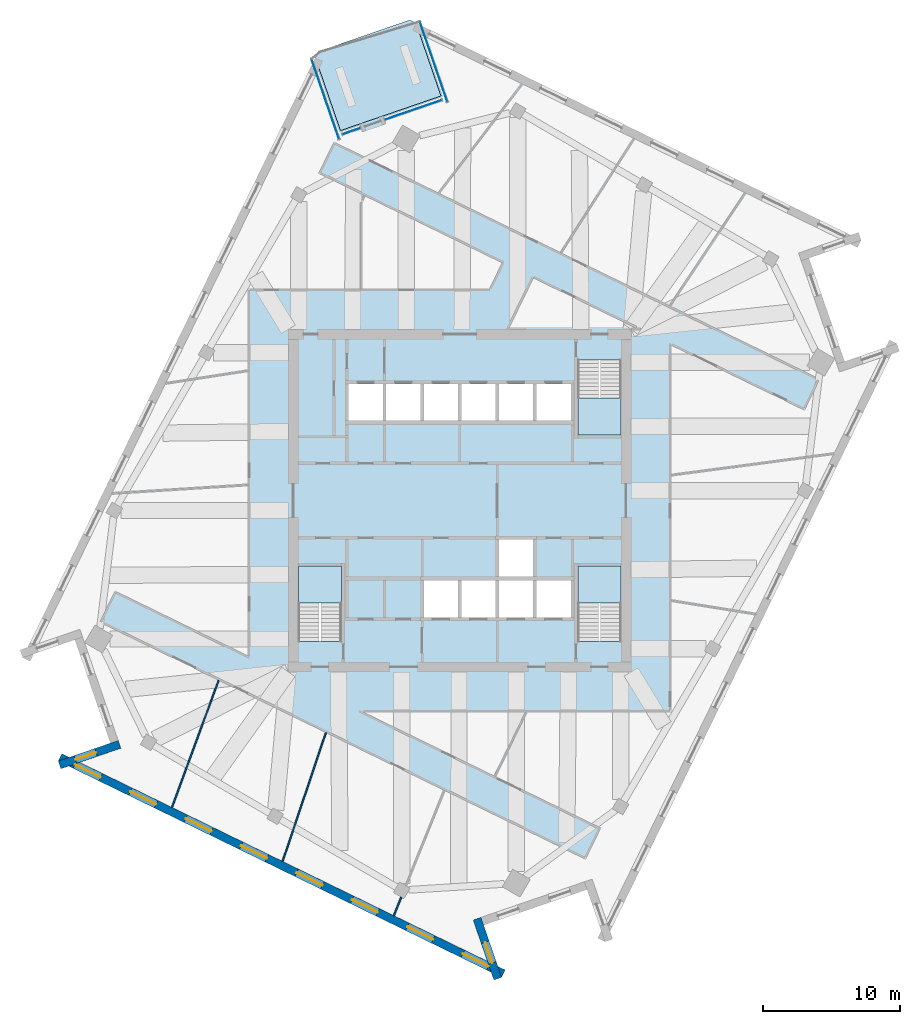
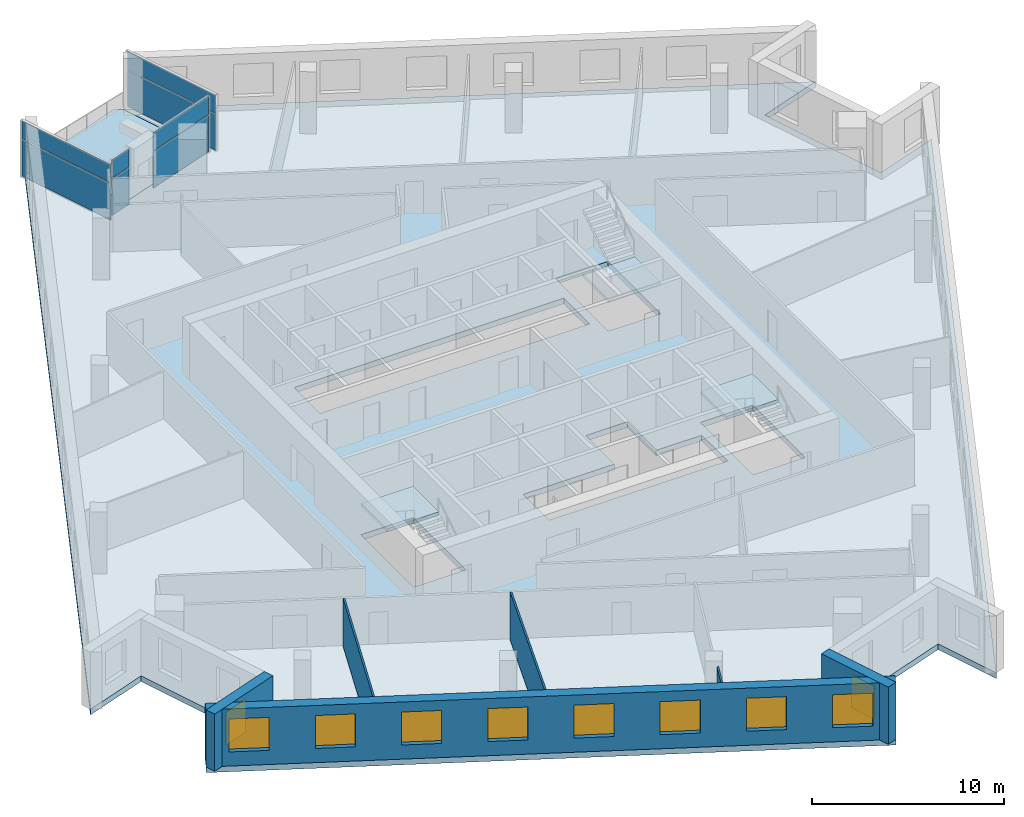
# One storey, part 5 of 13: 10 windows, 8 plates, 6 walls, 5 slabs, 10 openings, 7 elements without a shape of their own.
"""IFC4 building model written with IfcOpenShell, lengths in metres."""

from ifc_helpers import new_model, si_unit, direction, frame, frame_2d, origin, origin_2d, place, context, subcontext, project, spatial, polyline, rectangle, outline, extrude, material, layer, layer_set, type_object, element, fill, aggregate, save


model = new_model("IFC4")

# Units and contexts
model_context = context("Model", 3, precision=1e-05, world=origin(), true_north=direction((0.0, 1.0)))
body_context = subcontext(model_context, "Body", "Model", "MODEL_VIEW")
ifc_project = project(units=[si_unit("LENGTHUNIT", "METRE"), si_unit("AREAUNIT", "SQUARE_METRE"), si_unit("VOLUMEUNIT", "CUBIC_METRE"), si_unit("PLANEANGLEUNIT", "RADIAN"), si_unit("MASSUNIT", "GRAM", prefix="KILO")], contexts=[model_context])

# Site, building, storey
site_placement = place(None, origin())
site = spatial("IfcSite", under=ifc_project, at=site_placement, CompositionType="ELEMENT")
building_placement = place(site_placement, origin())
building = spatial("IfcBuilding", under=site, at=building_placement, Name="Dilmun Exchange Tower", CompositionType="ELEMENT")
storey_placement = place(building_placement, frame((0.0, 0.0, 282.89990234375)))
storey = spatial("IfcBuildingStorey", under=building, at=storey_placement, Name="L67", CompositionType="ELEMENT", Elevation=282.89990234375)

# Stair, slab
ifc_material_1 = material(Name="Concrete C40/50", Category="concrete")
stair_type = type_object("IfcStairType", Name="Exit stair 1500 half-turn", PredefinedType="HALF_TURN_STAIR", material=ifc_material_1)
stair_1_placement = place(storey_placement, origin())
stair_1 = element("IfcStair", 1, at=stair_1_placement, inside=storey, type_object=stair_type, Name="L67 Protected exit stair ST1", PredefinedType="HALF_TURN_STAIR")
ifc_layer_1 = layer(ifc_material_1, 0.199951171875)
ifc_layer_set_1 = layer_set([ifc_layer_1], Name="Concrete C40/50")
slab_type_1 = type_object("IfcSlabType", Name="Exit stair landing 200", PredefinedType="LANDING", material=ifc_layer_set_1)
slab_1_placement = place(storey_placement, frame((0.0, 0.0, 1.800048828125)))
slab_1 = element("IfcSlab", 2, at=slab_1_placement, type_object=slab_type_1, Name="ST1 landing 1", PredefinedType="LANDING", context=body_context, shape_type="SweptSolid", body=[
    extrude(outline(polyline([(8.64990234375, 7.5), (8.64990234375, 4.800048828125), (11.800048828125, 4.800048828125), (11.800048828125, 7.5), (8.64990234375, 7.5)])), origin(), (0.0, 0.0, 1.0), 0.199951171875),
])
aggregate(stair_1, [slab_1])

stair_2_placement = place(storey_placement, origin())
stair_2 = element("IfcStair", 3, at=stair_2_placement, inside=storey, type_object=stair_type, Name="L67 Protected exit stair ST2", PredefinedType="HALF_TURN_STAIR")
slab_2_placement = place(storey_placement, frame((0.0, 0.0, 1.800048828125)))
slab_2 = element("IfcSlab", 4, at=slab_2_placement, type_object=slab_type_1, Name="ST2 landing 1", PredefinedType="LANDING", context=body_context, shape_type="SweptSolid", body=[
    extrude(outline(polyline([(-8.64990234375, -7.5), (-8.64990234375, -4.800048828125), (-11.800048828125, -4.800048828125), (-11.800048828125, -7.5), (-8.64990234375, -7.5)])), origin(), (0.0, 0.0, 1.0), 0.199951171875),
])
aggregate(stair_2, [slab_2])

stair_3_placement = place(storey_placement, origin())
stair_3 = element("IfcStair", 5, at=stair_3_placement, inside=storey, type_object=stair_type, Name="L67 Protected exit stair ST3", PredefinedType="HALF_TURN_STAIR")
slab_3_placement = place(storey_placement, frame((0.0, 0.0, 1.800048828125)))
slab_3 = element("IfcSlab", 6, at=slab_3_placement, type_object=slab_type_1, Name="ST3 landing 1", PredefinedType="LANDING", context=body_context, shape_type="SweptSolid", body=[
    extrude(outline(polyline([(11.800048828125, -7.5), (11.800048828125, -4.800048828125), (8.64990234375, -4.800048828125), (8.64990234375, -7.5), (11.800048828125, -7.5)])), origin(), (0.0, 0.0, 1.0), 0.199951171875),
])
aggregate(stair_3, [slab_3])

# Curtain wall, plates
ifc_material_2 = material(Name="Anodised aluminium and clear glass", Category="aluminium")
curtain_wall_type = type_object("IfcCurtainWallType", Name="Garden corner glazing", PredefinedType="NOTDEFINED", material=ifc_material_2)
curtain_wall_1_placement = place(storey_placement, origin())
curtain_wall_1 = element("IfcCurtainWall", 7, at=curtain_wall_1_placement, inside=storey, type_object=curtain_wall_type, Name="Garden corner glazing run GC1.1", PredefinedType="NOTDEFINED")
ifc_material_3 = material(Name="Clear glass", Category="glass")
ifc_layer_2 = layer(ifc_material_3, 0.028076171875)
ifc_layer_set_2 = layer_set([ifc_layer_2], Name="Clear glass")
plate_type = type_object("IfcPlateType", Name="Garden corner glazing glass panel 28", PredefinedType="CURTAIN_PANEL", material=ifc_layer_set_2)
plate_1_placement = place(storey_placement, frame((-1.906494140625, 32.086669921875, 0.06005859375), z_axis=(0.0, 0.0, 1.0), x_axis=(0.325577698297, -0.945515289338, 0.0)))
plate_1 = element("IfcPlate", 8, at=plate_1_placement, type_object=plate_type, Name="GC1.1 panel 1.1", PredefinedType="CURTAIN_PANEL", context=body_context, shape_type="SweptSolid", body=[
    extrude(rectangle(XDim=6.12646484375, YDim=0.028076171875, at=origin_2d()), origin(), (0.0, 0.0, 1.0), 2.31005859375),
])
plate_2_placement = place(storey_placement, frame((-1.906494140625, 32.086669921875, 2.43017578125), z_axis=(0.0, 0.0, 1.0), x_axis=(0.325577698297, -0.945515289338, 0.0)))
plate_2 = element("IfcPlate", 9, at=plate_2_placement, type_object=plate_type, Name="GC1.1 panel 1.2", PredefinedType="CURTAIN_PANEL", context=body_context, shape_type="SweptSolid", body=[
    extrude(rectangle(XDim=6.12646484375, YDim=0.028076171875, at=origin_2d()), origin(), (0.0, 0.0, 1.0), 1.14990234375),
])
aggregate(curtain_wall_1, [plate_1, plate_2])

curtain_wall_2_placement = place(storey_placement, origin())
curtain_wall_2 = element("IfcCurtainWall", 10, at=curtain_wall_2_placement, inside=storey, type_object=curtain_wall_type, Name="Garden corner glazing run GC2.1", PredefinedType="NOTDEFINED")
plate_3_placement = place(storey_placement, frame((-3.393310546875, 28.5888671875, 0.06005859375), z_axis=(0.0, 0.0, 1.0), x_axis=(-0.945520837584, -0.325561585103, 0.0)))
plate_3 = element("IfcPlate", 11, at=plate_3_placement, type_object=plate_type, Name="GC2.1 panel 1.1", PredefinedType="CURTAIN_PANEL", context=body_context, shape_type="SweptSolid", body=[
    extrude(rectangle(XDim=4.369140625, YDim=0.028076171875, at=origin_2d()), origin(), (0.0, 0.0, 1.0), 2.31005859375),
])
plate_4_placement = place(storey_placement, frame((-3.393310546875, 28.5888671875, 2.43017578125), z_axis=(0.0, 0.0, 1.0), x_axis=(-0.945520837584, -0.325561585103, 0.0)))
plate_4 = element("IfcPlate", 12, at=plate_4_placement, type_object=plate_type, Name="GC2.1 panel 1.2", PredefinedType="CURTAIN_PANEL", context=body_context, shape_type="SweptSolid", body=[
    extrude(rectangle(XDim=4.369140625, YDim=0.028076171875, at=origin_2d()), origin(), (0.0, 0.0, 1.0), 1.14990234375),
])
aggregate(curtain_wall_2, [plate_3, plate_4])

curtain_wall_3_placement = place(storey_placement, origin())
curtain_wall_3 = element("IfcCurtainWall", 13, at=curtain_wall_3_placement, inside=storey, type_object=curtain_wall_type, Name="Garden corner glazing run GC2.3", PredefinedType="NOTDEFINED")
plate_5_placement = place(storey_placement, frame((-7.92138671875, 27.02978515625, 0.06005859375), z_axis=(0.0, 0.0, 1.0), x_axis=(-0.945521320694, -0.325560182015, 0.0)))
plate_5 = element("IfcPlate", 14, at=plate_5_placement, type_object=plate_type, Name="GC2.3 panel 1.1", PredefinedType="CURTAIN_PANEL", context=body_context, shape_type="SweptSolid", body=[
    extrude(rectangle(XDim=1.369140625, YDim=0.028076171875, at=origin_2d()), origin(), (0.0, 0.0, 1.0), 2.31005859375),
])
plate_6_placement = place(storey_placement, frame((-7.92138671875, 27.02978515625, 2.43017578125), z_axis=(0.0, 0.0, 1.0), x_axis=(-0.945521320694, -0.325560182015, 0.0)))
plate_6 = element("IfcPlate", 15, at=plate_6_placement, type_object=plate_type, Name="GC2.3 panel 1.2", PredefinedType="CURTAIN_PANEL", context=body_context, shape_type="SweptSolid", body=[
    extrude(rectangle(XDim=1.369140625, YDim=0.028076171875, at=origin_2d()), origin(), (0.0, 0.0, 1.0), 1.14990234375),
])
aggregate(curtain_wall_3, [plate_5, plate_6])

curtain_wall_4_placement = place(storey_placement, origin())
curtain_wall_4 = element("IfcCurtainWall", 16, at=curtain_wall_4_placement, inside=storey, type_object=curtain_wall_type, Name="Garden corner glazing run GC3.1", PredefinedType="NOTDEFINED")
plate_7_placement = place(storey_placement, frame((-9.828125, 29.359130859375, 0.06005859375), z_axis=(0.0, 0.0, 1.0), x_axis=(-0.325572770145, 0.945516986278, 0.0)))
plate_7 = element("IfcPlate", 17, at=plate_7_placement, type_object=plate_type, Name="GC3.1 panel 1.1", PredefinedType="CURTAIN_PANEL", context=body_context, shape_type="SweptSolid", body=[
    extrude(rectangle(XDim=6.12646484375, YDim=0.028076171875, at=origin_2d()), origin(), (0.0, 0.0, 1.0), 2.31005859375),
])
plate_8_placement = place(storey_placement, frame((-9.828125, 29.359130859375, 2.43017578125), z_axis=(0.0, 0.0, 1.0), x_axis=(-0.325572770145, 0.945516986278, 0.0)))
plate_8 = element("IfcPlate", 18, at=plate_8_placement, type_object=plate_type, Name="GC3.1 panel 1.2", PredefinedType="CURTAIN_PANEL", context=body_context, shape_type="SweptSolid", body=[
    extrude(rectangle(XDim=6.12646484375, YDim=0.028076171875, at=origin_2d()), origin(), (0.0, 0.0, 1.0), 1.14990234375),
])
aggregate(curtain_wall_4, [plate_7, plate_8])

# Slabs
ifc_layer_3 = layer(ifc_material_1, 0.360107421875)
ifc_layer_set_3 = layer_set([ifc_layer_3], Name="Concrete C40/50")
slab_type_2 = type_object("IfcSlabType", Name="RC floor slab 360", PredefinedType="FLOOR", material=ifc_layer_set_3)
slab_4_placement = place(storey_placement, frame((0.0, 0.0, -0.35986328125)))
element("IfcSlab", 19, at=slab_4_placement, inside=storey, type_object=slab_type_2, Name="Floor slab", PredefinedType="FLOOR", context=body_context, shape_type="SweptSolid", body=[
    extrude(outline(polyline([(25.552490234375, 17.740478515625), (28.156982421875, 10.17626953125), (31.972900390625, 11.489990234375), (10.630126953125, -32.268798828125), (9.316162109375, -28.453125), (1.752197265625, -31.0576171875), (3.06591796875, -34.873291015625), (-29.3681640625, -19.05419921875), (-25.552490234375, -17.740478515625), (-28.156982421875, -10.17626953125), (-31.972900390625, -11.489990234375), (-10.561279296875, 32.409912109375), (-8.722900390625, 27.071044921875), (-1.36865234375, 29.603515625), (-3.206787109375, 34.942138671875), (29.3681640625, 19.05419921875), (25.552490234375, 17.740478515625)]), holes=[polyline([(-8.64990234375, -4.800048828125), (-11.800048828125, -4.800048828125), (-11.800048828125, -10.294921875), (-8.64990234375, -10.294921875), (-8.64990234375, -4.800048828125)]), polyline([(11.800048828125, -4.800048828125), (8.64990234375, -4.800048828125), (8.64990234375, -10.294921875), (11.800048828125, -10.294921875), (11.800048828125, -4.800048828125)]), polyline([(2.875, -5.85009765625), (-2.625, -5.85009765625), (-2.625, -8.550048828125), (8.125, -8.550048828125), (8.125, -5.85009765625), (5.375, -5.85009765625), (5.375, -2.85009765625), (2.875, -2.85009765625), (2.875, -5.85009765625)]), polyline([(8.125, 5.85009765625), (8.125, 8.550048828125), (-8.125, 8.550048828125), (-8.125, 5.85009765625), (8.125, 5.85009765625)]), polyline([(8.64990234375, 10.294921875), (8.64990234375, 4.800048828125), (11.800048828125, 4.800048828125), (11.800048828125, 10.294921875), (8.64990234375, 10.294921875)])]), origin(), (0.0, 0.0, 1.0), 0.35986328125),
])
ifc_layer_4 = layer(ifc_material_1, 0.300048828125)
ifc_layer_set_4 = layer_set([ifc_layer_4], Name="Concrete C40/50")
slab_type_3 = type_object("IfcSlabType", Name="RC garden terrace slab 300", PredefinedType="FLOOR", material=ifc_layer_set_4)
slab_5_placement = place(storey_placement, frame((0.0, 0.0, -0.2998046875)))
element("IfcSlab", 20, at=slab_5_placement, inside=storey, type_object=slab_type_3, Name="Garden terrace slab", PredefinedType="FLOOR", context=body_context, shape_type="SweptSolid", body=[
    extrude(outline(polyline([(-8.722900390625, 27.071044921875), (-10.561279296875, 32.409912109375), (-10.342041015625, 32.859130859375), (-3.65625, 35.161376953125), (-3.206787109375, 34.942138671875), (-1.36865234375, 29.603515625), (-8.722900390625, 27.071044921875)])), origin(), (0.0, 0.0, 1.0), 0.2998046875),
])

# Walls
ifc_material_4 = material(Name="Partition 100")
ifc_layer_5 = layer(ifc_material_4, 0.10009765625)
ifc_layer_set_5 = layer_set([ifc_layer_5], Name="Partition 100")
wall_type_1 = type_object("IfcWallType", Name="Partition 100", PredefinedType="PARTITIONING", material=ifc_layer_set_5)
wall_1_placement = place(storey_placement, frame((-21.050537109375, -22.441162109375, 0.0), z_axis=(0.0, 0.0, 1.0), x_axis=(0.344611208879, 0.938745500503, 0.0)))
element("IfcWall", 21, at=wall_1_placement, inside=storey, type_object=wall_type_1, Name="Partition", PredefinedType="PARTITIONING", context=body_context, shape_type="SweptSolid", body=[
    extrude(rectangle(XDim=9.897705078125, YDim=0.10009765625, at=frame_2d((4.94873046875, 0.0))), origin(), (0.0, 0.0, 1.0), 3.0400390625),
])
wall_2_placement = place(storey_placement, frame((-12.95654296875, -26.388916015625, 0.0), z_axis=(0.0, 0.0, 1.0), x_axis=(0.318735029826, 0.947843858851, 0.0)))
element("IfcWall", 22, at=wall_2_placement, inside=storey, type_object=wall_type_1, Name="Partition", PredefinedType="PARTITIONING", context=body_context, shape_type="SweptSolid", body=[
    extrude(rectangle(XDim=9.927734375, YDim=0.10009765625, at=frame_2d((4.9638671875, 0.0))), origin(), (0.0, 0.0, 1.0), 3.0400390625),
])
wall_3_placement = place(storey_placement, frame((-4.81689453125, -30.35888671875, 0.0), z_axis=(0.0, 0.0, 1.0), x_axis=(0.373182072461, 0.927758126234, 0.0)))
element("IfcWall", 23, at=wall_3_placement, inside=storey, type_object=wall_type_1, Name="Partition", PredefinedType="PARTITIONING", context=body_context, shape_type="SweptSolid", body=[
    extrude(rectangle(XDim=1.456298828125, YDim=0.10009765625, at=frame_2d((0.72802734375, 0.0))), origin(), (0.0, 0.0, 1.0), 3.64013671875),
])

# Wall, opening, window
ifc_material_5 = material(Name="Precast concrete C50/60", Category="concrete")
ifc_layer_6 = layer(ifc_material_5, 0.60009765625)
ifc_layer_set_6 = layer_set([ifc_layer_6], Name="Precast concrete C50/60")
wall_type_2 = type_object("IfcWallType", Name="Precast stone-clad wall 600", PredefinedType="STANDARD", material=ifc_layer_set_6)
wall_4_placement = place(storey_placement, frame((-24.8876953125, -17.82861328125, 0.0), z_axis=(0.0, 0.0, 1.0), x_axis=(-0.945508349791, -0.325597850847, 0.0)))
wall_4 = element("IfcWall", 24, at=wall_4_placement, inside=storey, type_object=wall_type_2, Name="Facade wall L67-06", PredefinedType="STANDARD", context=body_context, shape_type="SweptSolid", body=[
    extrude(rectangle(XDim=4.635498046875, YDim=0.60009765625, at=frame_2d((2.31787109375, 0.0))), origin(), (0.0, 0.0, 1.0), 3.64013671875),
])
opening_1_placement = place(wall_4_placement, frame((1.81787109375, 0.0, 0.89990234375)))
opening_1 = element("IfcOpeningElement", 25, at=opening_1_placement, cuts=wall_4, Name="Opening W160-210", PredefinedType="OPENING", context=body_context, shape_type="SweptSolid", body=[
    extrude(rectangle(XDim=1.60009765625, YDim=2.10009765625, at=frame_2d((0.800048828125, 1.050048828125))), frame((0.0, 0.31005859375, 0.0), z_axis=(0.0, -1.0, 0.0), x_axis=(1.0, 0.0, 0.0)), (0.0, 0.0, 1.0), 0.6201171875),
])
ifc_material_6 = material(Name="Clear low-emissivity glass in aluminium frame", Category="aluminium")
window_type_1 = type_object("IfcWindowType", Name="Punched window 1600 x 2100", PartitioningType="DOUBLE_PANEL_VERTICAL", PredefinedType="WINDOW", material=ifc_material_6)
window_1_placement = place(opening_1_placement, origin())
window_1 = element("IfcWindow", 26, at=window_1_placement, inside=storey, type_object=window_type_1, Name="Window 7.1", OverallHeight=2.10009765625, OverallWidth=1.60009765625, PartitioningType="SINGLE_PANEL", PredefinedType="WINDOW", context=body_context, shape_type="SweptSolid", body=[
    extrude(rectangle(XDim=1.60009765625, YDim=2.10009765625, at=frame_2d((0.800048828125, 1.050048828125))), frame((0.0, 0.030029296875, 0.0), z_axis=(0.0, -1.0, 0.0), x_axis=(1.0, 0.0, 0.0)), (0.0, 0.0, 1.0), 0.06005859375),
])
fill(opening_1, window_1)

# Wall, openings, windows
wall_5_placement = place(storey_placement, frame((-29.23681640625, -18.78466796875, 0.0), z_axis=(0.0, 0.0, 1.0), x_axis=(0.898796077823, -0.438366981524, 0.0)))
wall_5 = element("IfcWall", 27, at=wall_5_placement, inside=storey, type_object=wall_type_2, Name="Facade wall L67-07", PredefinedType="STANDARD", context=body_context, shape_type="SweptSolid", body=[
    extrude(rectangle(XDim=36.08642578125, YDim=0.60009765625, at=frame_2d((18.043212890625, 0.0))), origin(), (0.0, 0.0, 1.0), 3.64013671875),
])
opening_2_placement = place(wall_5_placement, frame((1.205322265625, 0.0, 0.89990234375)))
opening_2 = element("IfcOpeningElement", 28, at=opening_2_placement, cuts=wall_5, Name="Opening W210-210", PredefinedType="OPENING", context=body_context, shape_type="SweptSolid", body=[
    extrude(rectangle(XDim=2.10009765625, YDim=2.10009765625, at=frame_2d((1.050048828125, 1.050048828125))), frame((0.0, 0.31005859375, 0.0), z_axis=(0.0, -1.0, 0.0), x_axis=(1.0, 0.0, 0.0)), (0.0, 0.0, 1.0), 0.6201171875),
])
opening_3_placement = place(wall_5_placement, frame((5.71630859375, 0.0, 0.89990234375)))
opening_3 = element("IfcOpeningElement", 29, at=opening_3_placement, cuts=wall_5, Name="Opening W210-210", PredefinedType="OPENING", context=body_context, shape_type="SweptSolid", body=[
    extrude(rectangle(XDim=2.10009765625, YDim=2.10009765625, at=frame_2d((1.050048828125, 1.050048828125))), frame((0.0, 0.31005859375, 0.0), z_axis=(0.0, -1.0, 0.0), x_axis=(1.0, 0.0, 0.0)), (0.0, 0.0, 1.0), 0.6201171875),
])
opening_4_placement = place(wall_5_placement, frame((10.22705078125, 0.0, 0.89990234375)))
opening_4 = element("IfcOpeningElement", 30, at=opening_4_placement, cuts=wall_5, Name="Opening W210-210", PredefinedType="OPENING", context=body_context, shape_type="SweptSolid", body=[
    extrude(rectangle(XDim=2.10009765625, YDim=2.10009765625, at=frame_2d((1.050048828125, 1.050048828125))), frame((0.0, 0.31005859375, 0.0), z_axis=(0.0, -1.0, 0.0), x_axis=(1.0, 0.0, 0.0)), (0.0, 0.0, 1.0), 0.6201171875),
])
opening_5_placement = place(wall_5_placement, frame((14.73779296875, 0.0, 0.89990234375)))
opening_5 = element("IfcOpeningElement", 31, at=opening_5_placement, cuts=wall_5, Name="Opening W210-210", PredefinedType="OPENING", context=body_context, shape_type="SweptSolid", body=[
    extrude(rectangle(XDim=2.10009765625, YDim=2.10009765625, at=frame_2d((1.050048828125, 1.050048828125))), frame((0.0, 0.31005859375, 0.0), z_axis=(0.0, -1.0, 0.0), x_axis=(1.0, 0.0, 0.0)), (0.0, 0.0, 1.0), 0.6201171875),
])
opening_6_placement = place(wall_5_placement, frame((19.24853515625, 0.0, 0.89990234375)))
opening_6 = element("IfcOpeningElement", 32, at=opening_6_placement, cuts=wall_5, Name="Opening W210-210", PredefinedType="OPENING", context=body_context, shape_type="SweptSolid", body=[
    extrude(rectangle(XDim=2.10009765625, YDim=2.10009765625, at=frame_2d((1.050048828125, 1.050048828125))), frame((0.0, 0.31005859375, 0.0), z_axis=(0.0, -1.0, 0.0), x_axis=(1.0, 0.0, 0.0)), (0.0, 0.0, 1.0), 0.6201171875),
])
opening_7_placement = place(wall_5_placement, frame((23.75927734375, 0.0, 0.89990234375)))
opening_7 = element("IfcOpeningElement", 33, at=opening_7_placement, cuts=wall_5, Name="Opening W210-210", PredefinedType="OPENING", context=body_context, shape_type="SweptSolid", body=[
    extrude(rectangle(XDim=2.10009765625, YDim=2.10009765625, at=frame_2d((1.050048828125, 1.050048828125))), frame((0.0, 0.31005859375, 0.0), z_axis=(0.0, -1.0, 0.0), x_axis=(1.0, 0.0, 0.0)), (0.0, 0.0, 1.0), 0.6201171875),
])
opening_8_placement = place(wall_5_placement, frame((28.27001953125, 0.0, 0.89990234375)))
opening_8 = element("IfcOpeningElement", 34, at=opening_8_placement, cuts=wall_5, Name="Opening W210-210", PredefinedType="OPENING", context=body_context, shape_type="SweptSolid", body=[
    extrude(rectangle(XDim=2.10009765625, YDim=2.10009765625, at=frame_2d((1.050048828125, 1.050048828125))), frame((0.0, 0.31005859375, 0.0), z_axis=(0.0, -1.0, 0.0), x_axis=(1.0, 0.0, 0.0)), (0.0, 0.0, 1.0), 0.6201171875),
])
opening_9_placement = place(wall_5_placement, frame((32.781005859375, 0.0, 0.89990234375)))
opening_9 = element("IfcOpeningElement", 35, at=opening_9_placement, cuts=wall_5, Name="Opening W210-210", PredefinedType="OPENING", context=body_context, shape_type="SweptSolid", body=[
    extrude(rectangle(XDim=2.10009765625, YDim=2.10009765625, at=frame_2d((1.050048828125, 1.050048828125))), frame((0.0, 0.31005859375, 0.0), z_axis=(0.0, -1.0, 0.0), x_axis=(1.0, 0.0, 0.0)), (0.0, 0.0, 1.0), 0.6201171875),
])
window_type_2 = type_object("IfcWindowType", Name="Punched window 2100 x 2100", PartitioningType="DOUBLE_PANEL_VERTICAL", PredefinedType="WINDOW", material=ifc_material_6)
window_2_placement = place(opening_2_placement, origin())
window_2 = element("IfcWindow", 36, at=window_2_placement, inside=storey, type_object=window_type_2, Name="Window 8.1", OverallHeight=2.10009765625, OverallWidth=2.10009765625, PartitioningType="SINGLE_PANEL", PredefinedType="WINDOW", context=body_context, shape_type="SweptSolid", body=[
    extrude(rectangle(XDim=2.10009765625, YDim=2.10009765625, at=frame_2d((1.050048828125, 1.050048828125))), frame((0.0, 0.030029296875, 0.0), z_axis=(0.0, -1.0, 0.0), x_axis=(1.0, 0.0, 0.0)), (0.0, 0.0, 1.0), 0.06005859375),
])
fill(opening_2, window_2)
window_3_placement = place(opening_3_placement, origin())
window_3 = element("IfcWindow", 37, at=window_3_placement, inside=storey, type_object=window_type_2, Name="Window 8.2", OverallHeight=2.10009765625, OverallWidth=2.10009765625, PartitioningType="SINGLE_PANEL", PredefinedType="WINDOW", context=body_context, shape_type="SweptSolid", body=[
    extrude(rectangle(XDim=2.10009765625, YDim=2.10009765625, at=frame_2d((1.050048828125, 1.050048828125))), frame((0.0, 0.030029296875, 0.0), z_axis=(0.0, -1.0, 0.0), x_axis=(1.0, 0.0, 0.0)), (0.0, 0.0, 1.0), 0.06005859375),
])
fill(opening_3, window_3)
window_4_placement = place(opening_4_placement, origin())
window_4 = element("IfcWindow", 38, at=window_4_placement, inside=storey, type_object=window_type_2, Name="Window 8.3", OverallHeight=2.10009765625, OverallWidth=2.10009765625, PartitioningType="SINGLE_PANEL", PredefinedType="WINDOW", context=body_context, shape_type="SweptSolid", body=[
    extrude(rectangle(XDim=2.10009765625, YDim=2.10009765625, at=frame_2d((1.050048828125, 1.050048828125))), frame((0.0, 0.030029296875, 0.0), z_axis=(0.0, -1.0, 0.0), x_axis=(1.0, 0.0, 0.0)), (0.0, 0.0, 1.0), 0.06005859375),
])
fill(opening_4, window_4)
window_5_placement = place(opening_5_placement, origin())
window_5 = element("IfcWindow", 39, at=window_5_placement, inside=storey, type_object=window_type_2, Name="Window 8.4", OverallHeight=2.10009765625, OverallWidth=2.10009765625, PartitioningType="SINGLE_PANEL", PredefinedType="WINDOW", context=body_context, shape_type="SweptSolid", body=[
    extrude(rectangle(XDim=2.10009765625, YDim=2.10009765625, at=frame_2d((1.050048828125, 1.050048828125))), frame((0.0, 0.030029296875, 0.0), z_axis=(0.0, -1.0, 0.0), x_axis=(1.0, 0.0, 0.0)), (0.0, 0.0, 1.0), 0.06005859375),
])
fill(opening_5, window_5)
window_6_placement = place(opening_6_placement, origin())
window_6 = element("IfcWindow", 40, at=window_6_placement, inside=storey, type_object=window_type_2, Name="Window 8.5", OverallHeight=2.10009765625, OverallWidth=2.10009765625, PartitioningType="SINGLE_PANEL", PredefinedType="WINDOW", context=body_context, shape_type="SweptSolid", body=[
    extrude(rectangle(XDim=2.10009765625, YDim=2.10009765625, at=frame_2d((1.050048828125, 1.050048828125))), frame((0.0, 0.030029296875, 0.0), z_axis=(0.0, -1.0, 0.0), x_axis=(1.0, 0.0, 0.0)), (0.0, 0.0, 1.0), 0.06005859375),
])
fill(opening_6, window_6)
window_7_placement = place(opening_7_placement, origin())
window_7 = element("IfcWindow", 41, at=window_7_placement, inside=storey, type_object=window_type_2, Name="Window 8.6", OverallHeight=2.10009765625, OverallWidth=2.10009765625, PartitioningType="SINGLE_PANEL", PredefinedType="WINDOW", context=body_context, shape_type="SweptSolid", body=[
    extrude(rectangle(XDim=2.10009765625, YDim=2.10009765625, at=frame_2d((1.050048828125, 1.050048828125))), frame((0.0, 0.030029296875, 0.0), z_axis=(0.0, -1.0, 0.0), x_axis=(1.0, 0.0, 0.0)), (0.0, 0.0, 1.0), 0.06005859375),
])
fill(opening_7, window_7)
window_8_placement = place(opening_8_placement, origin())
window_8 = element("IfcWindow", 42, at=window_8_placement, inside=storey, type_object=window_type_2, Name="Window 8.7", OverallHeight=2.10009765625, OverallWidth=2.10009765625, PartitioningType="SINGLE_PANEL", PredefinedType="WINDOW", context=body_context, shape_type="SweptSolid", body=[
    extrude(rectangle(XDim=2.10009765625, YDim=2.10009765625, at=frame_2d((1.050048828125, 1.050048828125))), frame((0.0, 0.030029296875, 0.0), z_axis=(0.0, -1.0, 0.0), x_axis=(1.0, 0.0, 0.0)), (0.0, 0.0, 1.0), 0.06005859375),
])
fill(opening_8, window_8)
window_9_placement = place(opening_9_placement, origin())
window_9 = element("IfcWindow", 43, at=window_9_placement, inside=storey, type_object=window_type_2, Name="Window 8.8", OverallHeight=2.10009765625, OverallWidth=2.10009765625, PartitioningType="SINGLE_PANEL", PredefinedType="WINDOW", context=body_context, shape_type="SweptSolid", body=[
    extrude(rectangle(XDim=2.10009765625, YDim=2.10009765625, at=frame_2d((1.050048828125, 1.050048828125))), frame((0.0, 0.030029296875, 0.0), z_axis=(0.0, -1.0, 0.0), x_axis=(1.0, 0.0, 0.0)), (0.0, 0.0, 1.0), 0.06005859375),
])
fill(opening_9, window_9)

# Wall, opening, window
wall_6_placement = place(storey_placement, frame((2.7822265625, -34.97119140625, 0.0), z_axis=(0.0, 0.0, 1.0), x_axis=(-0.325534552764, 0.945530144922, 0.0)))
wall_6 = element("IfcWall", 44, at=wall_6_placement, inside=storey, type_object=wall_type_2, Name="Facade wall L67-08", PredefinedType="STANDARD", context=body_context, shape_type="SweptSolid", body=[
    extrude(rectangle(XDim=4.635498046875, YDim=0.60009765625, at=frame_2d((2.31787109375, 0.0))), origin(), (0.0, 0.0, 1.0), 3.64013671875),
])
opening_10_placement = place(wall_6_placement, frame((1.2177734375, 0.0, 0.89990234375)))
opening_10 = element("IfcOpeningElement", 45, at=opening_10_placement, cuts=wall_6, Name="Opening W160-210", PredefinedType="OPENING", context=body_context, shape_type="SweptSolid", body=[
    extrude(rectangle(XDim=1.60009765625, YDim=2.10009765625, at=frame_2d((0.800048828125, 1.050048828125))), frame((0.0, 0.31005859375, 0.0), z_axis=(0.0, -1.0, 0.0), x_axis=(1.0, 0.0, 0.0)), (0.0, 0.0, 1.0), 0.6201171875),
])
window_10_placement = place(opening_10_placement, origin())
window_10 = element("IfcWindow", 46, at=window_10_placement, inside=storey, type_object=window_type_1, Name="Window 9.1", OverallHeight=2.10009765625, OverallWidth=1.60009765625, PartitioningType="SINGLE_PANEL", PredefinedType="WINDOW", context=body_context, shape_type="SweptSolid", body=[
    extrude(rectangle(XDim=1.60009765625, YDim=2.10009765625, at=frame_2d((0.800048828125, 1.050048828125))), frame((0.0, 0.030029296875, 0.0), z_axis=(0.0, -1.0, 0.0), x_axis=(1.0, 0.0, 0.0)), (0.0, 0.0, 1.0), 0.06005859375),
])
fill(opening_10, window_10)

save(model, "model.ifc")
